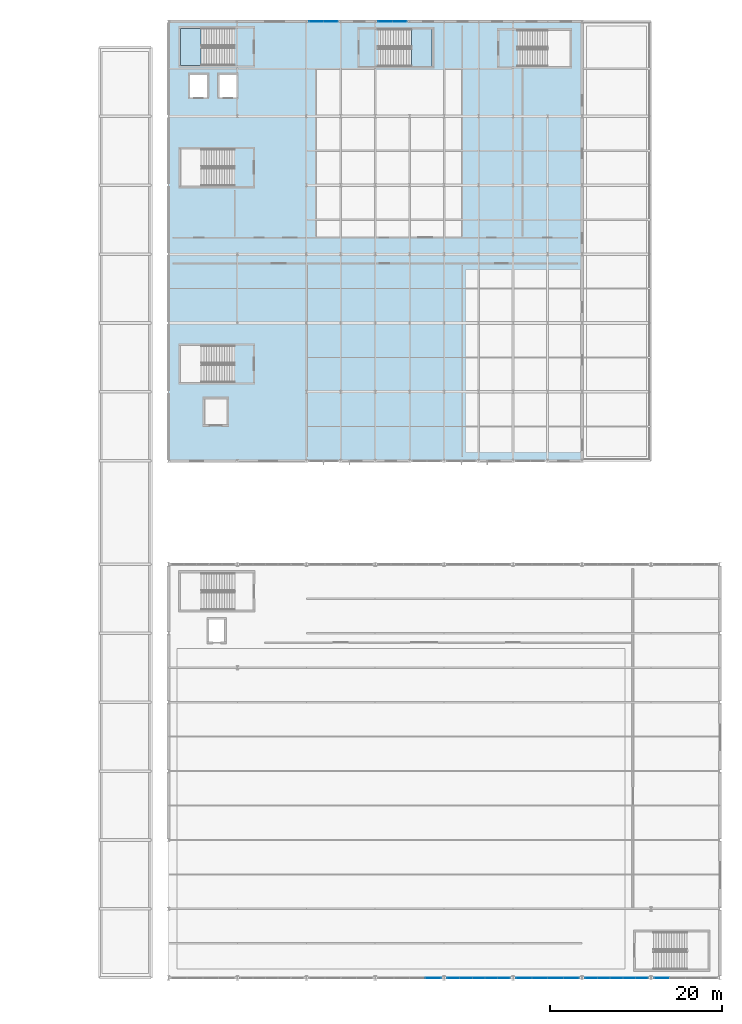
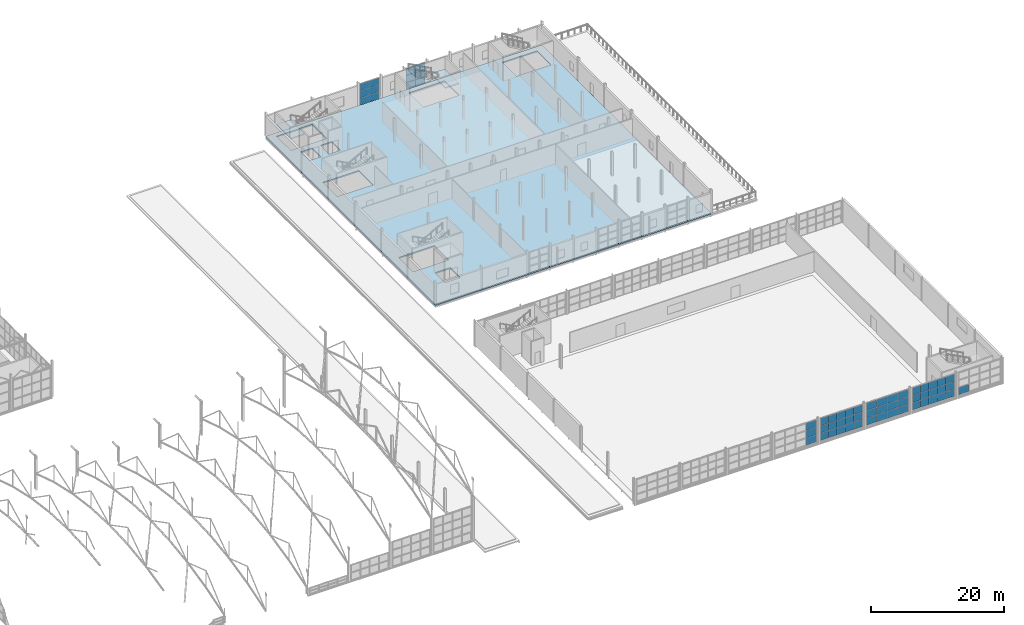
# One storey, part 128 of 153: 58 plates, 3 slabs, 9 elements without a shape of their own.
"""IFC4 building model written with IfcOpenShell, lengths in metres."""

from ifc_helpers import new_model, si_unit, derived_unit, direction, frame, origin, origin_2d, place, context, subcontext, project, spatial, polyline, rectangle, outline, extrude, material, layer, layer_set, type_object, element, aggregate, save


model = new_model("IFC4")

# Units and contexts
model_context = context("Model", 3, precision=1e-05, world=origin(), true_north=direction((0.0, 1.0)))
body_context = subcontext(model_context, "Body", "Model", "MODEL_VIEW")
ifc_project = project(units=[si_unit("LENGTHUNIT", "METRE"), si_unit("AREAUNIT", "SQUARE_METRE"), si_unit("VOLUMEUNIT", "CUBIC_METRE"), si_unit("PLANEANGLEUNIT", "RADIAN"), si_unit("MASSUNIT", "GRAM", prefix="KILO"), derived_unit("THERMALTRANSMITTANCEUNIT", [(si_unit("POWERUNIT", "WATT"), 1), (si_unit("LENGTHUNIT", "METRE"), -2), (si_unit("THERMODYNAMICTEMPERATUREUNIT", "KELVIN"), -1)])], contexts=[model_context])

# Site, building, storey
site_placement = place(None, origin())
site = spatial("IfcSite", under=ifc_project, at=site_placement, CompositionType="ELEMENT")
building_placement = place(site_placement, origin())
building = spatial("IfcBuilding", under=site, at=building_placement, Name="Keldorne Ridge Multi-Sports Centre", CompositionType="ELEMENT")
storey_placement = place(building_placement, frame((0.0, 0.0, 9.60009765625)))
storey = spatial("IfcBuildingStorey", under=building, at=storey_placement, Name="L02", CompositionType="ELEMENT", Elevation=9.60009765625)

# Curtain wall, plates
ifc_material_1 = material(Name="Anodized aluminium", Category="aluminium")
curtain_wall_type_1 = type_object("IfcCurtainWallType", Name="CW-CW-03", PredefinedType="NOTDEFINED", material=ifc_material_1)
curtain_wall_1_placement = place(storey_placement, origin())
curtain_wall_1 = element("IfcCurtainWall", 1, at=curtain_wall_1_placement, inside=storey, type_object=curtain_wall_type_1, Name="Upper Courts south curtain wall 107", PredefinedType="NOTDEFINED")
ifc_material_2 = material(Name="Double low-e insulated glazing", Category="glass")
ifc_layer_1 = layer(ifc_material_2, 0.035888671875)
ifc_layer_set_1 = layer_set([ifc_layer_1])
plate_type = type_object("IfcPlateType", Name="PLT-GL-01", PredefinedType="CURTAIN_PANEL", material=ifc_layer_set_1)
plate_1_placement = place(storey_placement, frame((134.7451171875, 6.0, 0.019775390625), z_axis=(0.0, 0.0, 1.0), x_axis=(1.0, 0.0, 0.0)))
plate_1 = element("IfcPlate", 2, at=plate_1_placement, type_object=plate_type, Name="CW-107 glazed panel 4.1", PredefinedType="CURTAIN_PANEL", context=body_context, shape_type="SweptSolid", body=[
    extrude(rectangle(XDim=1.7900390625, YDim=0.035888671875, at=origin_2d()), origin(), (0.0, 0.0, 1.0), 1.32666015625),
])
plate_2_placement = place(storey_placement, frame((134.7451171875, 6.0, 1.386474609375), z_axis=(0.0, 0.0, 1.0), x_axis=(1.0, 0.0, 0.0)))
plate_2 = element("IfcPlate", 3, at=plate_2_placement, type_object=plate_type, Name="CW-107 glazed panel 4.2", PredefinedType="CURTAIN_PANEL", context=body_context, shape_type="SweptSolid", body=[
    extrude(rectangle(XDim=1.7900390625, YDim=0.035888671875, at=origin_2d()), origin(), (0.0, 0.0, 1.0), 1.32666015625),
])
plate_3_placement = place(storey_placement, frame((134.7451171875, 6.0, 2.753173828125), z_axis=(0.0, 0.0, 1.0), x_axis=(1.0, 0.0, 0.0)))
plate_3 = element("IfcPlate", 4, at=plate_3_placement, type_object=plate_type, Name="CW-107 glazed panel 4.3", PredefinedType="CURTAIN_PANEL", context=body_context, shape_type="SweptSolid", body=[
    extrude(rectangle(XDim=1.7900390625, YDim=0.035888671875, at=origin_2d()), origin(), (0.0, 0.0, 1.0), 1.32666015625),
])
aggregate(curtain_wall_1, [plate_1, plate_2, plate_3])

curtain_wall_type_2 = type_object("IfcCurtainWallType", Name="CW-CW-02", PredefinedType="NOTDEFINED", material=ifc_material_1)
curtain_wall_2_placement = place(storey_placement, origin())
curtain_wall_2 = element("IfcCurtainWall", 5, at=curtain_wall_2_placement, inside=storey, type_object=curtain_wall_type_2, Name="Upper Courts south curtain wall 114", PredefinedType="NOTDEFINED")
plate_4_placement = place(storey_placement, frame((137.072021484375, 6.0, 0.019775390625), z_axis=(0.0, 0.0, 1.0), x_axis=(1.0, 0.0, 0.0)))
plate_4 = element("IfcPlate", 6, at=plate_4_placement, type_object=plate_type, Name="CW-114 glazed panel 1.1", PredefinedType="CURTAIN_PANEL", context=body_context, shape_type="SweptSolid", body=[
    extrude(rectangle(XDim=1.424072265625, YDim=0.035888671875, at=origin_2d()), origin(), (0.0, 0.0, 1.0), 1.32666015625),
])
plate_5_placement = place(storey_placement, frame((137.072021484375, 6.0, 1.386474609375), z_axis=(0.0, 0.0, 1.0), x_axis=(1.0, 0.0, 0.0)))
plate_5 = element("IfcPlate", 7, at=plate_5_placement, type_object=plate_type, Name="CW-114 glazed panel 1.2", PredefinedType="CURTAIN_PANEL", context=body_context, shape_type="SweptSolid", body=[
    extrude(rectangle(XDim=1.424072265625, YDim=0.035888671875, at=origin_2d()), origin(), (0.0, 0.0, 1.0), 1.32666015625),
])
plate_6_placement = place(storey_placement, frame((137.072021484375, 6.0, 2.753173828125), z_axis=(0.0, 0.0, 1.0), x_axis=(1.0, 0.0, 0.0)))
plate_6 = element("IfcPlate", 8, at=plate_6_placement, type_object=plate_type, Name="CW-114 glazed panel 1.3", PredefinedType="CURTAIN_PANEL", context=body_context, shape_type="SweptSolid", body=[
    extrude(rectangle(XDim=1.424072265625, YDim=0.035888671875, at=origin_2d()), origin(), (0.0, 0.0, 1.0), 1.32666015625),
])
plate_7_placement = place(storey_placement, frame((138.535888671875, 6.0, 0.019775390625), z_axis=(0.0, 0.0, 1.0), x_axis=(1.0, 0.0, 0.0)))
plate_7 = element("IfcPlate", 9, at=plate_7_placement, type_object=plate_type, Name="CW-114 glazed panel 2.1", PredefinedType="CURTAIN_PANEL", context=body_context, shape_type="SweptSolid", body=[
    extrude(rectangle(XDim=1.424072265625, YDim=0.035888671875, at=origin_2d()), origin(), (0.0, 0.0, 1.0), 1.32666015625),
])
plate_8_placement = place(storey_placement, frame((138.535888671875, 6.0, 1.386474609375), z_axis=(0.0, 0.0, 1.0), x_axis=(1.0, 0.0, 0.0)))
plate_8 = element("IfcPlate", 10, at=plate_8_placement, type_object=plate_type, Name="CW-114 glazed panel 2.2", PredefinedType="CURTAIN_PANEL", context=body_context, shape_type="SweptSolid", body=[
    extrude(rectangle(XDim=1.424072265625, YDim=0.035888671875, at=origin_2d()), origin(), (0.0, 0.0, 1.0), 1.32666015625),
])
plate_9_placement = place(storey_placement, frame((138.535888671875, 6.0, 2.753173828125), z_axis=(0.0, 0.0, 1.0), x_axis=(1.0, 0.0, 0.0)))
plate_9 = element("IfcPlate", 11, at=plate_9_placement, type_object=plate_type, Name="CW-114 glazed panel 2.3", PredefinedType="CURTAIN_PANEL", context=body_context, shape_type="SweptSolid", body=[
    extrude(rectangle(XDim=1.424072265625, YDim=0.035888671875, at=origin_2d()), origin(), (0.0, 0.0, 1.0), 1.32666015625),
])
plate_10_placement = place(storey_placement, frame((140.0, 6.0, 0.019775390625), z_axis=(0.0, 0.0, 1.0), x_axis=(1.0, 0.0, 0.0)))
plate_10 = element("IfcPlate", 12, at=plate_10_placement, type_object=plate_type, Name="CW-114 glazed panel 3.1", PredefinedType="CURTAIN_PANEL", context=body_context, shape_type="SweptSolid", body=[
    extrude(rectangle(XDim=1.424072265625, YDim=0.035888671875, at=origin_2d()), origin(), (0.0, 0.0, 1.0), 1.32666015625),
])
plate_11_placement = place(storey_placement, frame((140.0, 6.0, 1.386474609375), z_axis=(0.0, 0.0, 1.0), x_axis=(1.0, 0.0, 0.0)))
plate_11 = element("IfcPlate", 13, at=plate_11_placement, type_object=plate_type, Name="CW-114 glazed panel 3.2", PredefinedType="CURTAIN_PANEL", context=body_context, shape_type="SweptSolid", body=[
    extrude(rectangle(XDim=1.424072265625, YDim=0.035888671875, at=origin_2d()), origin(), (0.0, 0.0, 1.0), 1.32666015625),
])
plate_12_placement = place(storey_placement, frame((140.0, 6.0, 2.753173828125), z_axis=(0.0, 0.0, 1.0), x_axis=(1.0, 0.0, 0.0)))
plate_12 = element("IfcPlate", 14, at=plate_12_placement, type_object=plate_type, Name="CW-114 glazed panel 3.3", PredefinedType="CURTAIN_PANEL", context=body_context, shape_type="SweptSolid", body=[
    extrude(rectangle(XDim=1.424072265625, YDim=0.035888671875, at=origin_2d()), origin(), (0.0, 0.0, 1.0), 1.32666015625),
])
plate_13_placement = place(storey_placement, frame((141.464111328125, 6.0, 0.019775390625), z_axis=(0.0, 0.0, 1.0), x_axis=(1.0, 0.0, 0.0)))
plate_13 = element("IfcPlate", 15, at=plate_13_placement, type_object=plate_type, Name="CW-114 glazed panel 4.1", PredefinedType="CURTAIN_PANEL", context=body_context, shape_type="SweptSolid", body=[
    extrude(rectangle(XDim=1.424072265625, YDim=0.035888671875, at=origin_2d()), origin(), (0.0, 0.0, 1.0), 1.32666015625),
])
plate_14_placement = place(storey_placement, frame((141.464111328125, 6.0, 1.386474609375), z_axis=(0.0, 0.0, 1.0), x_axis=(1.0, 0.0, 0.0)))
plate_14 = element("IfcPlate", 16, at=plate_14_placement, type_object=plate_type, Name="CW-114 glazed panel 4.2", PredefinedType="CURTAIN_PANEL", context=body_context, shape_type="SweptSolid", body=[
    extrude(rectangle(XDim=1.424072265625, YDim=0.035888671875, at=origin_2d()), origin(), (0.0, 0.0, 1.0), 1.32666015625),
])
plate_15_placement = place(storey_placement, frame((141.464111328125, 6.0, 2.753173828125), z_axis=(0.0, 0.0, 1.0), x_axis=(1.0, 0.0, 0.0)))
plate_15 = element("IfcPlate", 17, at=plate_15_placement, type_object=plate_type, Name="CW-114 glazed panel 4.3", PredefinedType="CURTAIN_PANEL", context=body_context, shape_type="SweptSolid", body=[
    extrude(rectangle(XDim=1.424072265625, YDim=0.035888671875, at=origin_2d()), origin(), (0.0, 0.0, 1.0), 1.32666015625),
])
plate_16_placement = place(storey_placement, frame((142.927978515625, 6.0, 0.019775390625), z_axis=(0.0, 0.0, 1.0), x_axis=(1.0, 0.0, 0.0)))
plate_16 = element("IfcPlate", 18, at=plate_16_placement, type_object=plate_type, Name="CW-114 glazed panel 5.1", PredefinedType="CURTAIN_PANEL", context=body_context, shape_type="SweptSolid", body=[
    extrude(rectangle(XDim=1.424072265625, YDim=0.035888671875, at=origin_2d()), origin(), (0.0, 0.0, 1.0), 1.32666015625),
])
plate_17_placement = place(storey_placement, frame((142.927978515625, 6.0, 1.386474609375), z_axis=(0.0, 0.0, 1.0), x_axis=(1.0, 0.0, 0.0)))
plate_17 = element("IfcPlate", 19, at=plate_17_placement, type_object=plate_type, Name="CW-114 glazed panel 5.2", PredefinedType="CURTAIN_PANEL", context=body_context, shape_type="SweptSolid", body=[
    extrude(rectangle(XDim=1.424072265625, YDim=0.035888671875, at=origin_2d()), origin(), (0.0, 0.0, 1.0), 1.32666015625),
])
plate_18_placement = place(storey_placement, frame((142.927978515625, 6.0, 2.753173828125), z_axis=(0.0, 0.0, 1.0), x_axis=(1.0, 0.0, 0.0)))
plate_18 = element("IfcPlate", 20, at=plate_18_placement, type_object=plate_type, Name="CW-114 glazed panel 5.3", PredefinedType="CURTAIN_PANEL", context=body_context, shape_type="SweptSolid", body=[
    extrude(rectangle(XDim=1.424072265625, YDim=0.035888671875, at=origin_2d()), origin(), (0.0, 0.0, 1.0), 1.32666015625),
])
aggregate(curtain_wall_2, [plate_4, plate_5, plate_6, plate_7, plate_8, plate_9, plate_10, plate_11, plate_12, plate_13, plate_14, plate_15, plate_16, plate_17, plate_18])

curtain_wall_type_3 = type_object("IfcCurtainWallType", Name="CW-CW-08", PredefinedType="NOTDEFINED", material=ifc_material_1)
curtain_wall_3_placement = place(storey_placement, origin())
curtain_wall_3 = element("IfcCurtainWall", 21, at=curtain_wall_3_placement, inside=storey, type_object=curtain_wall_type_3, Name="Upper Courts south curtain wall 120", PredefinedType="NOTDEFINED")
plate_19_placement = place(storey_placement, frame((145.2548828125, 6.0, 0.019775390625), z_axis=(0.0, 0.0, 1.0), x_axis=(1.0, 0.0, 0.0)))
plate_19 = element("IfcPlate", 22, at=plate_19_placement, type_object=plate_type, Name="CW-120 glazed panel 1.1", PredefinedType="CURTAIN_PANEL", context=body_context, shape_type="SweptSolid", body=[
    extrude(rectangle(XDim=1.7900390625, YDim=0.035888671875, at=origin_2d()), origin(), (0.0, 0.0, 1.0), 1.32666015625),
])
plate_20_placement = place(storey_placement, frame((145.2548828125, 6.0, 1.386474609375), z_axis=(0.0, 0.0, 1.0), x_axis=(1.0, 0.0, 0.0)))
plate_20 = element("IfcPlate", 23, at=plate_20_placement, type_object=plate_type, Name="CW-120 glazed panel 1.2", PredefinedType="CURTAIN_PANEL", context=body_context, shape_type="SweptSolid", body=[
    extrude(rectangle(XDim=1.7900390625, YDim=0.035888671875, at=origin_2d()), origin(), (0.0, 0.0, 1.0), 1.32666015625),
])
plate_21_placement = place(storey_placement, frame((145.2548828125, 6.0, 2.753173828125), z_axis=(0.0, 0.0, 1.0), x_axis=(1.0, 0.0, 0.0)))
plate_21 = element("IfcPlate", 24, at=plate_21_placement, type_object=plate_type, Name="CW-120 glazed panel 1.3", PredefinedType="CURTAIN_PANEL", context=body_context, shape_type="SweptSolid", body=[
    extrude(rectangle(XDim=1.7900390625, YDim=0.035888671875, at=origin_2d()), origin(), (0.0, 0.0, 1.0), 1.32666015625),
])
plate_22_placement = place(storey_placement, frame((147.0849609375, 6.0, 0.019775390625), z_axis=(0.0, 0.0, 1.0), x_axis=(1.0, 0.0, 0.0)))
plate_22 = element("IfcPlate", 25, at=plate_22_placement, type_object=plate_type, Name="CW-120 glazed panel 2.1", PredefinedType="CURTAIN_PANEL", context=body_context, shape_type="SweptSolid", body=[
    extrude(rectangle(XDim=1.7900390625, YDim=0.035888671875, at=origin_2d()), origin(), (0.0, 0.0, 1.0), 1.32666015625),
])
plate_23_placement = place(storey_placement, frame((147.0849609375, 6.0, 1.386474609375), z_axis=(0.0, 0.0, 1.0), x_axis=(1.0, 0.0, 0.0)))
plate_23 = element("IfcPlate", 26, at=plate_23_placement, type_object=plate_type, Name="CW-120 glazed panel 2.2", PredefinedType="CURTAIN_PANEL", context=body_context, shape_type="SweptSolid", body=[
    extrude(rectangle(XDim=1.7900390625, YDim=0.035888671875, at=origin_2d()), origin(), (0.0, 0.0, 1.0), 1.32666015625),
])
plate_24_placement = place(storey_placement, frame((147.0849609375, 6.0, 2.753173828125), z_axis=(0.0, 0.0, 1.0), x_axis=(1.0, 0.0, 0.0)))
plate_24 = element("IfcPlate", 27, at=plate_24_placement, type_object=plate_type, Name="CW-120 glazed panel 2.3", PredefinedType="CURTAIN_PANEL", context=body_context, shape_type="SweptSolid", body=[
    extrude(rectangle(XDim=1.7900390625, YDim=0.035888671875, at=origin_2d()), origin(), (0.0, 0.0, 1.0), 1.32666015625),
])
plate_25_placement = place(storey_placement, frame((148.9150390625, 6.0, 0.019775390625), z_axis=(0.0, 0.0, 1.0), x_axis=(1.0, 0.0, 0.0)))
plate_25 = element("IfcPlate", 28, at=plate_25_placement, type_object=plate_type, Name="CW-120 glazed panel 3.1", PredefinedType="CURTAIN_PANEL", context=body_context, shape_type="SweptSolid", body=[
    extrude(rectangle(XDim=1.7900390625, YDim=0.035888671875, at=origin_2d()), origin(), (0.0, 0.0, 1.0), 1.32666015625),
])
plate_26_placement = place(storey_placement, frame((148.9150390625, 6.0, 1.386474609375), z_axis=(0.0, 0.0, 1.0), x_axis=(1.0, 0.0, 0.0)))
plate_26 = element("IfcPlate", 29, at=plate_26_placement, type_object=plate_type, Name="CW-120 glazed panel 3.2", PredefinedType="CURTAIN_PANEL", context=body_context, shape_type="SweptSolid", body=[
    extrude(rectangle(XDim=1.7900390625, YDim=0.035888671875, at=origin_2d()), origin(), (0.0, 0.0, 1.0), 1.32666015625),
])
plate_27_placement = place(storey_placement, frame((148.9150390625, 6.0, 2.753173828125), z_axis=(0.0, 0.0, 1.0), x_axis=(1.0, 0.0, 0.0)))
plate_27 = element("IfcPlate", 30, at=plate_27_placement, type_object=plate_type, Name="CW-120 glazed panel 3.3", PredefinedType="CURTAIN_PANEL", context=body_context, shape_type="SweptSolid", body=[
    extrude(rectangle(XDim=1.7900390625, YDim=0.035888671875, at=origin_2d()), origin(), (0.0, 0.0, 1.0), 1.32666015625),
])
plate_28_placement = place(storey_placement, frame((150.7451171875, 6.0, 0.019775390625), z_axis=(0.0, 0.0, 1.0), x_axis=(1.0, 0.0, 0.0)))
plate_28 = element("IfcPlate", 31, at=plate_28_placement, type_object=plate_type, Name="CW-120 glazed panel 4.1", PredefinedType="CURTAIN_PANEL", context=body_context, shape_type="SweptSolid", body=[
    extrude(rectangle(XDim=1.7900390625, YDim=0.035888671875, at=origin_2d()), origin(), (0.0, 0.0, 1.0), 1.32666015625),
])
plate_29_placement = place(storey_placement, frame((150.7451171875, 6.0, 1.386474609375), z_axis=(0.0, 0.0, 1.0), x_axis=(1.0, 0.0, 0.0)))
plate_29 = element("IfcPlate", 32, at=plate_29_placement, type_object=plate_type, Name="CW-120 glazed panel 4.2", PredefinedType="CURTAIN_PANEL", context=body_context, shape_type="SweptSolid", body=[
    extrude(rectangle(XDim=1.7900390625, YDim=0.035888671875, at=origin_2d()), origin(), (0.0, 0.0, 1.0), 1.32666015625),
])
plate_30_placement = place(storey_placement, frame((150.7451171875, 6.0, 2.753173828125), z_axis=(0.0, 0.0, 1.0), x_axis=(1.0, 0.0, 0.0)))
plate_30 = element("IfcPlate", 33, at=plate_30_placement, type_object=plate_type, Name="CW-120 glazed panel 4.3", PredefinedType="CURTAIN_PANEL", context=body_context, shape_type="SweptSolid", body=[
    extrude(rectangle(XDim=1.7900390625, YDim=0.035888671875, at=origin_2d()), origin(), (0.0, 0.0, 1.0), 1.32666015625),
])
aggregate(curtain_wall_3, [plate_19, plate_20, plate_21, plate_22, plate_23, plate_24, plate_25, plate_26, plate_27, plate_28, plate_29, plate_30])

curtain_wall_type_4 = type_object("IfcCurtainWallType", Name="CW-CW-06", PredefinedType="NOTDEFINED", material=ifc_material_1)
curtain_wall_4_placement = place(storey_placement, origin())
curtain_wall_4 = element("IfcCurtainWall", 34, at=curtain_wall_4_placement, inside=storey, type_object=curtain_wall_type_4, Name="Upper Courts south curtain wall 126", PredefinedType="NOTDEFINED")
plate_31_placement = place(storey_placement, frame((153.072021484375, 6.0, 0.019775390625), z_axis=(0.0, 0.0, 1.0), x_axis=(1.0, 0.0, 0.0)))
plate_31 = element("IfcPlate", 35, at=plate_31_placement, type_object=plate_type, Name="CW-126 glazed panel 1.1", PredefinedType="CURTAIN_PANEL", context=body_context, shape_type="SweptSolid", body=[
    extrude(rectangle(XDim=1.424072265625, YDim=0.035888671875, at=origin_2d()), origin(), (0.0, 0.0, 1.0), 1.32666015625),
])
plate_32_placement = place(storey_placement, frame((153.072021484375, 6.0, 1.386474609375), z_axis=(0.0, 0.0, 1.0), x_axis=(1.0, 0.0, 0.0)))
plate_32 = element("IfcPlate", 36, at=plate_32_placement, type_object=plate_type, Name="CW-126 glazed panel 1.2", PredefinedType="CURTAIN_PANEL", context=body_context, shape_type="SweptSolid", body=[
    extrude(rectangle(XDim=1.424072265625, YDim=0.035888671875, at=origin_2d()), origin(), (0.0, 0.0, 1.0), 1.32666015625),
])
plate_33_placement = place(storey_placement, frame((153.072021484375, 6.0, 2.753173828125), z_axis=(0.0, 0.0, 1.0), x_axis=(1.0, 0.0, 0.0)))
plate_33 = element("IfcPlate", 37, at=plate_33_placement, type_object=plate_type, Name="CW-126 glazed panel 1.3", PredefinedType="CURTAIN_PANEL", context=body_context, shape_type="SweptSolid", body=[
    extrude(rectangle(XDim=1.424072265625, YDim=0.035888671875, at=origin_2d()), origin(), (0.0, 0.0, 1.0), 1.32666015625),
])
plate_34_placement = place(storey_placement, frame((154.535888671875, 6.0, 0.019775390625), z_axis=(0.0, 0.0, 1.0), x_axis=(1.0, 0.0, 0.0)))
plate_34 = element("IfcPlate", 38, at=plate_34_placement, type_object=plate_type, Name="CW-126 glazed panel 2.1", PredefinedType="CURTAIN_PANEL", context=body_context, shape_type="SweptSolid", body=[
    extrude(rectangle(XDim=1.424072265625, YDim=0.035888671875, at=origin_2d()), origin(), (0.0, 0.0, 1.0), 1.32666015625),
])
plate_35_placement = place(storey_placement, frame((154.535888671875, 6.0, 1.386474609375), z_axis=(0.0, 0.0, 1.0), x_axis=(1.0, 0.0, 0.0)))
plate_35 = element("IfcPlate", 39, at=plate_35_placement, type_object=plate_type, Name="CW-126 glazed panel 2.2", PredefinedType="CURTAIN_PANEL", context=body_context, shape_type="SweptSolid", body=[
    extrude(rectangle(XDim=1.424072265625, YDim=0.035888671875, at=origin_2d()), origin(), (0.0, 0.0, 1.0), 1.32666015625),
])
plate_36_placement = place(storey_placement, frame((154.535888671875, 6.0, 2.753173828125), z_axis=(0.0, 0.0, 1.0), x_axis=(1.0, 0.0, 0.0)))
plate_36 = element("IfcPlate", 40, at=plate_36_placement, type_object=plate_type, Name="CW-126 glazed panel 2.3", PredefinedType="CURTAIN_PANEL", context=body_context, shape_type="SweptSolid", body=[
    extrude(rectangle(XDim=1.424072265625, YDim=0.035888671875, at=origin_2d()), origin(), (0.0, 0.0, 1.0), 1.32666015625),
])
plate_37_placement = place(storey_placement, frame((156.0, 6.0, 0.019775390625), z_axis=(0.0, 0.0, 1.0), x_axis=(1.0, 0.0, 0.0)))
plate_37 = element("IfcPlate", 41, at=plate_37_placement, type_object=plate_type, Name="CW-126 glazed panel 3.1", PredefinedType="CURTAIN_PANEL", context=body_context, shape_type="SweptSolid", body=[
    extrude(rectangle(XDim=1.424072265625, YDim=0.035888671875, at=origin_2d()), origin(), (0.0, 0.0, 1.0), 1.32666015625),
])
plate_38_placement = place(storey_placement, frame((156.0, 6.0, 1.386474609375), z_axis=(0.0, 0.0, 1.0), x_axis=(1.0, 0.0, 0.0)))
plate_38 = element("IfcPlate", 42, at=plate_38_placement, type_object=plate_type, Name="CW-126 glazed panel 3.2", PredefinedType="CURTAIN_PANEL", context=body_context, shape_type="SweptSolid", body=[
    extrude(rectangle(XDim=1.424072265625, YDim=0.035888671875, at=origin_2d()), origin(), (0.0, 0.0, 1.0), 1.32666015625),
])
plate_39_placement = place(storey_placement, frame((156.0, 6.0, 2.753173828125), z_axis=(0.0, 0.0, 1.0), x_axis=(1.0, 0.0, 0.0)))
plate_39 = element("IfcPlate", 43, at=plate_39_placement, type_object=plate_type, Name="CW-126 glazed panel 3.3", PredefinedType="CURTAIN_PANEL", context=body_context, shape_type="SweptSolid", body=[
    extrude(rectangle(XDim=1.424072265625, YDim=0.035888671875, at=origin_2d()), origin(), (0.0, 0.0, 1.0), 1.32666015625),
])
plate_40_placement = place(storey_placement, frame((157.464111328125, 6.0, 0.019775390625), z_axis=(0.0, 0.0, 1.0), x_axis=(1.0, 0.0, 0.0)))
plate_40 = element("IfcPlate", 44, at=plate_40_placement, type_object=plate_type, Name="CW-126 glazed panel 4.1", PredefinedType="CURTAIN_PANEL", context=body_context, shape_type="SweptSolid", body=[
    extrude(rectangle(XDim=1.424072265625, YDim=0.035888671875, at=origin_2d()), origin(), (0.0, 0.0, 1.0), 1.32666015625),
])
plate_41_placement = place(storey_placement, frame((157.464111328125, 6.0, 1.386474609375), z_axis=(0.0, 0.0, 1.0), x_axis=(1.0, 0.0, 0.0)))
plate_41 = element("IfcPlate", 45, at=plate_41_placement, type_object=plate_type, Name="CW-126 glazed panel 4.2", PredefinedType="CURTAIN_PANEL", context=body_context, shape_type="SweptSolid", body=[
    extrude(rectangle(XDim=1.424072265625, YDim=0.035888671875, at=origin_2d()), origin(), (0.0, 0.0, 1.0), 1.32666015625),
])
plate_42_placement = place(storey_placement, frame((157.464111328125, 6.0, 2.753173828125), z_axis=(0.0, 0.0, 1.0), x_axis=(1.0, 0.0, 0.0)))
plate_42 = element("IfcPlate", 46, at=plate_42_placement, type_object=plate_type, Name="CW-126 glazed panel 4.3", PredefinedType="CURTAIN_PANEL", context=body_context, shape_type="SweptSolid", body=[
    extrude(rectangle(XDim=1.424072265625, YDim=0.035888671875, at=origin_2d()), origin(), (0.0, 0.0, 1.0), 1.32666015625),
])
plate_43_placement = place(storey_placement, frame((158.927978515625, 6.0, 0.019775390625), z_axis=(0.0, 0.0, 1.0), x_axis=(1.0, 0.0, 0.0)))
plate_43 = element("IfcPlate", 47, at=plate_43_placement, type_object=plate_type, Name="CW-126 glazed panel 5.1", PredefinedType="CURTAIN_PANEL", context=body_context, shape_type="SweptSolid", body=[
    extrude(rectangle(XDim=1.424072265625, YDim=0.035888671875, at=origin_2d()), origin(), (0.0, 0.0, 1.0), 1.32666015625),
])
plate_44_placement = place(storey_placement, frame((158.927978515625, 6.0, 1.386474609375), z_axis=(0.0, 0.0, 1.0), x_axis=(1.0, 0.0, 0.0)))
plate_44 = element("IfcPlate", 48, at=plate_44_placement, type_object=plate_type, Name="CW-126 glazed panel 5.2", PredefinedType="CURTAIN_PANEL", context=body_context, shape_type="SweptSolid", body=[
    extrude(rectangle(XDim=1.424072265625, YDim=0.035888671875, at=origin_2d()), origin(), (0.0, 0.0, 1.0), 1.32666015625),
])
plate_45_placement = place(storey_placement, frame((158.927978515625, 6.0, 2.753173828125), z_axis=(0.0, 0.0, 1.0), x_axis=(1.0, 0.0, 0.0)))
plate_45 = element("IfcPlate", 49, at=plate_45_placement, type_object=plate_type, Name="CW-126 glazed panel 5.3", PredefinedType="CURTAIN_PANEL", context=body_context, shape_type="SweptSolid", body=[
    extrude(rectangle(XDim=1.424072265625, YDim=0.035888671875, at=origin_2d()), origin(), (0.0, 0.0, 1.0), 1.32666015625),
])
aggregate(curtain_wall_4, [plate_31, plate_32, plate_33, plate_34, plate_35, plate_36, plate_37, plate_38, plate_39, plate_40, plate_41, plate_42, plate_43, plate_44, plate_45])

# Curtain wall, plate
curtain_wall_type_5 = type_object("IfcCurtainWallType", Name="CW-CW-05", PredefinedType="NOTDEFINED", material=ifc_material_1)
curtain_wall_5_placement = place(storey_placement, origin())
curtain_wall_5 = element("IfcCurtainWall", 50, at=curtain_wall_5_placement, inside=storey, type_object=curtain_wall_type_5, Name="Upper Courts south curtain wall 133", PredefinedType="NOTDEFINED")
plate_46_placement = place(storey_placement, frame((161.2548828125, 6.0, 0.019775390625), z_axis=(0.0, 0.0, 1.0), x_axis=(1.0, 0.0, 0.0)))
plate_46 = element("IfcPlate", 51, at=plate_46_placement, type_object=plate_type, Name="CW-133 glazed panel 1.1", PredefinedType="CURTAIN_PANEL", context=body_context, shape_type="SweptSolid", body=[
    extrude(rectangle(XDim=1.7900390625, YDim=0.035888671875, at=origin_2d()), origin(), (0.0, 0.0, 1.0), 1.32666015625),
])
aggregate(curtain_wall_5, [plate_46])

# Curtain wall, plates
curtain_wall_type_6 = type_object("IfcCurtainWallType", Name="CW-CW-07", PredefinedType="NOTDEFINED", material=ifc_material_1)
curtain_wall_6_placement = place(storey_placement, origin())
curtain_wall_6 = element("IfcCurtainWall", 52, at=curtain_wall_6_placement, inside=storey, type_object=curtain_wall_type_6, Name="East Wing L02 north curtain wall 151", PredefinedType="NOTDEFINED")
plate_47_placement = place(storey_placement, frame((122.830078125, 117.0, 0.02001953125), z_axis=(0.0, 0.0, 1.0), x_axis=(-1.0, 0.0, 0.0)))
plate_47 = element("IfcPlate", 53, at=plate_47_placement, type_object=plate_type, Name="CW-151 glazed panel 1.1", PredefinedType="CURTAIN_PANEL", context=body_context, shape_type="SweptSolid", body=[
    extrude(rectangle(XDim=1.6201171875, YDim=0.035888671875, at=origin_2d()), origin(), (0.0, 0.0, 1.0), 1.260009765625),
])
plate_48_placement = place(storey_placement, frame((122.830078125, 117.0, 1.31982421875), z_axis=(0.0, 0.0, 1.0), x_axis=(-1.0, 0.0, 0.0)))
plate_48 = element("IfcPlate", 54, at=plate_48_placement, type_object=plate_type, Name="CW-151 glazed panel 1.2", PredefinedType="CURTAIN_PANEL", context=body_context, shape_type="SweptSolid", body=[
    extrude(rectangle(XDim=1.6201171875, YDim=0.035888671875, at=origin_2d()), origin(), (0.0, 0.0, 1.0), 1.260009765625),
])
plate_49_placement = place(storey_placement, frame((122.830078125, 117.0, 2.6201171875), z_axis=(0.0, 0.0, 1.0), x_axis=(-1.0, 0.0, 0.0)))
plate_49 = element("IfcPlate", 55, at=plate_49_placement, type_object=plate_type, Name="CW-151 glazed panel 1.3", PredefinedType="CURTAIN_PANEL", context=body_context, shape_type="SweptSolid", body=[
    extrude(rectangle(XDim=1.6201171875, YDim=0.035888671875, at=origin_2d()), origin(), (0.0, 0.0, 1.0), 1.260009765625),
])
plate_50_placement = place(storey_placement, frame((121.169921875, 117.0, 0.02001953125), z_axis=(0.0, 0.0, 1.0), x_axis=(-1.0, 0.0, 0.0)))
plate_50 = element("IfcPlate", 56, at=plate_50_placement, type_object=plate_type, Name="CW-151 glazed panel 2.1", PredefinedType="CURTAIN_PANEL", context=body_context, shape_type="SweptSolid", body=[
    extrude(rectangle(XDim=1.6201171875, YDim=0.035888671875, at=origin_2d()), origin(), (0.0, 0.0, 1.0), 1.260009765625),
])
plate_51_placement = place(storey_placement, frame((121.169921875, 117.0, 1.31982421875), z_axis=(0.0, 0.0, 1.0), x_axis=(-1.0, 0.0, 0.0)))
plate_51 = element("IfcPlate", 57, at=plate_51_placement, type_object=plate_type, Name="CW-151 glazed panel 2.2", PredefinedType="CURTAIN_PANEL", context=body_context, shape_type="SweptSolid", body=[
    extrude(rectangle(XDim=1.6201171875, YDim=0.035888671875, at=origin_2d()), origin(), (0.0, 0.0, 1.0), 1.260009765625),
])
plate_52_placement = place(storey_placement, frame((121.169921875, 117.0, 2.6201171875), z_axis=(0.0, 0.0, 1.0), x_axis=(-1.0, 0.0, 0.0)))
plate_52 = element("IfcPlate", 58, at=plate_52_placement, type_object=plate_type, Name="CW-151 glazed panel 2.3", PredefinedType="CURTAIN_PANEL", context=body_context, shape_type="SweptSolid", body=[
    extrude(rectangle(XDim=1.6201171875, YDim=0.035888671875, at=origin_2d()), origin(), (0.0, 0.0, 1.0), 1.260009765625),
])
aggregate(curtain_wall_6, [plate_47, plate_48, plate_49, plate_50, plate_51, plate_52])

curtain_wall_7_placement = place(storey_placement, origin())
curtain_wall_7 = element("IfcCurtainWall", 59, at=curtain_wall_7_placement, inside=storey, type_object=curtain_wall_type_3, Name="East Wing L02 north curtain wall 152", PredefinedType="NOTDEFINED")
plate_53_placement = place(storey_placement, frame((130.830078125, 117.0, 0.02001953125), z_axis=(0.0, 0.0, 1.0), x_axis=(-1.0, 0.0, 0.0)))
plate_53 = element("IfcPlate", 60, at=plate_53_placement, type_object=plate_type, Name="CW-152 glazed panel 1.1", PredefinedType="CURTAIN_PANEL", context=body_context, shape_type="SweptSolid", body=[
    extrude(rectangle(XDim=1.6201171875, YDim=0.035888671875, at=origin_2d()), origin(), (0.0, 0.0, 1.0), 1.260009765625),
])
plate_54_placement = place(storey_placement, frame((130.830078125, 117.0, 1.31982421875), z_axis=(0.0, 0.0, 1.0), x_axis=(-1.0, 0.0, 0.0)))
plate_54 = element("IfcPlate", 61, at=plate_54_placement, type_object=plate_type, Name="CW-152 glazed panel 1.2", PredefinedType="CURTAIN_PANEL", context=body_context, shape_type="SweptSolid", body=[
    extrude(rectangle(XDim=1.6201171875, YDim=0.035888671875, at=origin_2d()), origin(), (0.0, 0.0, 1.0), 1.260009765625),
])
plate_55_placement = place(storey_placement, frame((130.830078125, 117.0, 2.6201171875), z_axis=(0.0, 0.0, 1.0), x_axis=(-1.0, 0.0, 0.0)))
plate_55 = element("IfcPlate", 62, at=plate_55_placement, type_object=plate_type, Name="CW-152 glazed panel 1.3", PredefinedType="CURTAIN_PANEL", context=body_context, shape_type="SweptSolid", body=[
    extrude(rectangle(XDim=1.6201171875, YDim=0.035888671875, at=origin_2d()), origin(), (0.0, 0.0, 1.0), 1.260009765625),
])
plate_56_placement = place(storey_placement, frame((129.169921875, 117.0, 0.02001953125), z_axis=(0.0, 0.0, 1.0), x_axis=(-1.0, 0.0, 0.0)))
plate_56 = element("IfcPlate", 63, at=plate_56_placement, type_object=plate_type, Name="CW-152 glazed panel 2.1", PredefinedType="CURTAIN_PANEL", context=body_context, shape_type="SweptSolid", body=[
    extrude(rectangle(XDim=1.6201171875, YDim=0.035888671875, at=origin_2d()), origin(), (0.0, 0.0, 1.0), 1.260009765625),
])
plate_57_placement = place(storey_placement, frame((129.169921875, 117.0, 1.31982421875), z_axis=(0.0, 0.0, 1.0), x_axis=(-1.0, 0.0, 0.0)))
plate_57 = element("IfcPlate", 64, at=plate_57_placement, type_object=plate_type, Name="CW-152 glazed panel 2.2", PredefinedType="CURTAIN_PANEL", context=body_context, shape_type="SweptSolid", body=[
    extrude(rectangle(XDim=1.6201171875, YDim=0.035888671875, at=origin_2d()), origin(), (0.0, 0.0, 1.0), 1.260009765625),
])
plate_58_placement = place(storey_placement, frame((129.169921875, 117.0, 2.6201171875), z_axis=(0.0, 0.0, 1.0), x_axis=(-1.0, 0.0, 0.0)))
plate_58 = element("IfcPlate", 65, at=plate_58_placement, type_object=plate_type, Name="CW-152 glazed panel 2.3", PredefinedType="CURTAIN_PANEL", context=body_context, shape_type="SweptSolid", body=[
    extrude(rectangle(XDim=1.6201171875, YDim=0.035888671875, at=origin_2d()), origin(), (0.0, 0.0, 1.0), 1.260009765625),
])
aggregate(curtain_wall_7, [plate_53, plate_54, plate_55, plate_56, plate_57, plate_58])

# Stair, slab
ifc_material_3 = material(Name="Concrete C35/45", Category="concrete")
stair_type = type_object("IfcStairType", Name="STR-S01", PredefinedType="HALF_TURN_STAIR", material=ifc_material_3)
stair_1_placement = place(storey_placement, origin())
stair_1 = element("IfcStair", 66, at=stair_1_placement, inside=storey, type_object=stair_type, Name="L02 North-East Primary Clinical Core C1", PredefinedType="HALF_TURN_STAIR")
ifc_layer_2 = layer(ifc_material_3, 0.199951171875)
ifc_layer_set_2 = layer_set([ifc_layer_2], Name="Concrete C35/45")
slab_type_1 = type_object("IfcSlabType", Name="SLB-LDG-01", PredefinedType="LANDING", material=ifc_layer_set_2)
slab_1_placement = place(storey_placement, frame((0.0, 0.0, 2.0)))
slab_1 = element("IfcSlab", 67, at=slab_1_placement, type_object=slab_type_1, Name="ST-01 landing 1", PredefinedType="LANDING", context=body_context, shape_type="SweptSolid", body=[
    extrude(outline(polyline([(107.800048828125, 116.199951171875), (105.39990234375, 116.199951171875), (105.39990234375, 111.89990234375), (107.800048828125, 111.89990234375), (107.800048828125, 116.199951171875)])), origin(), (0.0, 0.0, 1.0), 0.199951171875),
])
aggregate(stair_1, [slab_1])

stair_2_placement = place(storey_placement, origin())
stair_2 = element("IfcStair", 68, at=stair_2_placement, inside=storey, type_object=stair_type, Name="L02 Upper Studio Escape Stair ST-10", PredefinedType="HALF_TURN_STAIR")
slab_2_placement = place(storey_placement, frame((0.0, 0.0, 2.0)))
slab_2 = element("IfcSlab", 69, at=slab_2_placement, type_object=slab_type_1, Name="ST-10 landing 1", PredefinedType="LANDING", context=body_context, shape_type="SweptSolid", body=[
    extrude(outline(polyline([(132.199951171875, 111.800048828125), (134.60009765625, 111.800048828125), (134.60009765625, 116.10009765625), (132.199951171875, 116.10009765625), (132.199951171875, 111.800048828125)])), origin(), (0.0, 0.0, 1.0), 0.199951171875),
])
aggregate(stair_2, [slab_2])

# Slab
ifc_layer_3 = layer(ifc_material_3, 0.239990234375)
ifc_layer_set_3 = layer_set([ifc_layer_3], Name="Concrete C35/45")
slab_type_2 = type_object("IfcSlabType", Name="SLB-SL-F03", PredefinedType="FLOOR", material=ifc_layer_set_3)
slab_3_placement = place(storey_placement, frame((0.0, 0.0, -0.239990234375)))
element("IfcSlab", 70, at=slab_3_placement, inside=storey, type_object=slab_type_2, Name="Second floor Sports Medicine Clinic slab", PredefinedType="FLOOR", context=body_context, shape_type="SweptSolid", body=[
    extrude(outline(polyline([(104.0, 66.0), (152.0, 66.0), (152.0, 117.0), (104.0, 117.0), (104.0, 66.0)]), holes=[polyline([(105.39990234375, 111.89990234375), (105.39990234375, 116.199951171875), (111.6201171875, 116.199951171875), (111.6201171875, 111.89990234375), (105.39990234375, 111.89990234375)]), polyline([(105.39990234375, 75.10009765625), (105.39990234375, 79.39990234375), (111.6201171875, 79.39990234375), (111.6201171875, 75.10009765625), (105.39990234375, 75.10009765625)]), polyline([(144.580078125, 111.800048828125), (144.580078125, 115.97998046875), (150.60009765625, 115.97998046875), (150.60009765625, 111.800048828125), (144.580078125, 111.800048828125)]), polyline([(128.3798828125, 111.800048828125), (128.3798828125, 116.10009765625), (134.60009765625, 116.10009765625), (134.60009765625, 111.800048828125), (128.3798828125, 111.800048828125)]), polyline([(105.39990234375, 97.89990234375), (105.39990234375, 102.199951171875), (111.6201171875, 102.199951171875), (111.6201171875, 97.89990234375), (105.39990234375, 97.89990234375)]), polyline([(106.5, 108.199951171875), (106.5, 110.800048828125), (108.5, 110.800048828125), (108.5, 108.199951171875), (106.5, 108.199951171875)]), polyline([(109.89990234375, 108.199951171875), (109.89990234375, 110.800048828125), (111.89990234375, 110.800048828125), (111.89990234375, 108.199951171875), (109.89990234375, 108.199951171875)]), polyline([(108.199951171875, 70.199951171875), (108.199951171875, 73.199951171875), (110.800048828125, 73.199951171875), (110.800048828125, 70.199951171875), (108.199951171875, 70.199951171875)])]), origin(), (0.0, 0.0, 1.0), 0.239990234375),
])

save(model, "model.ifc")
